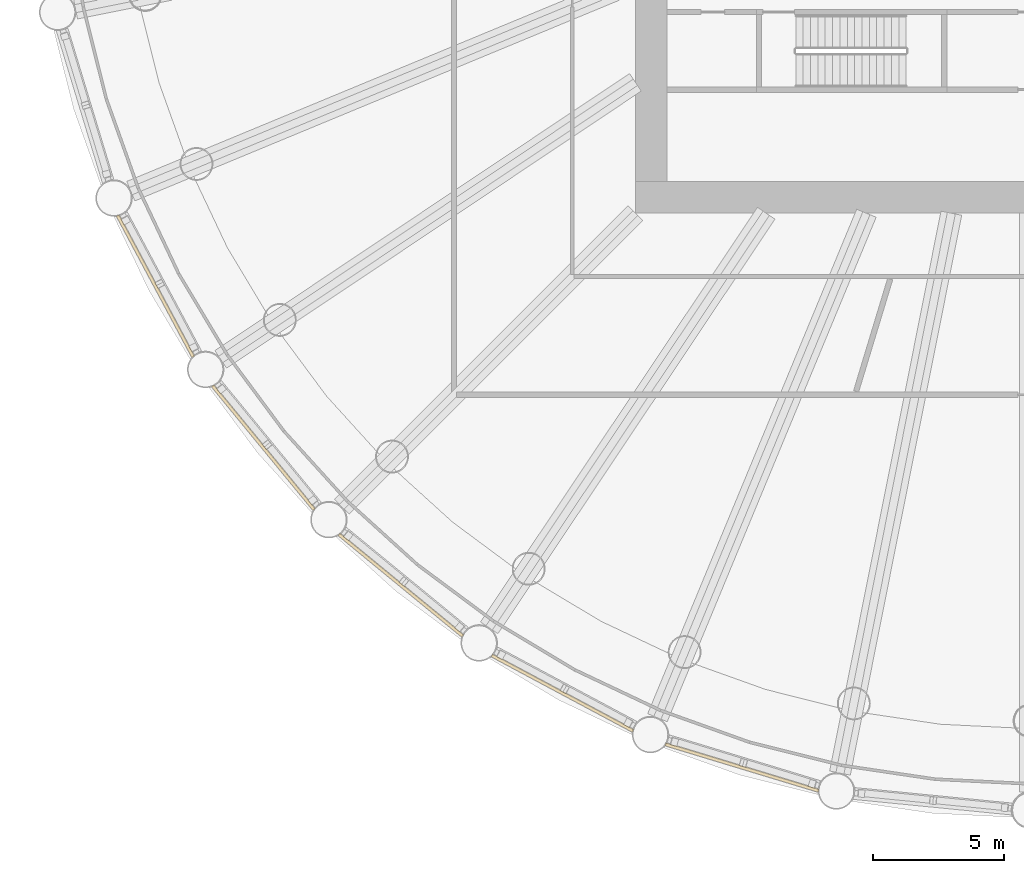
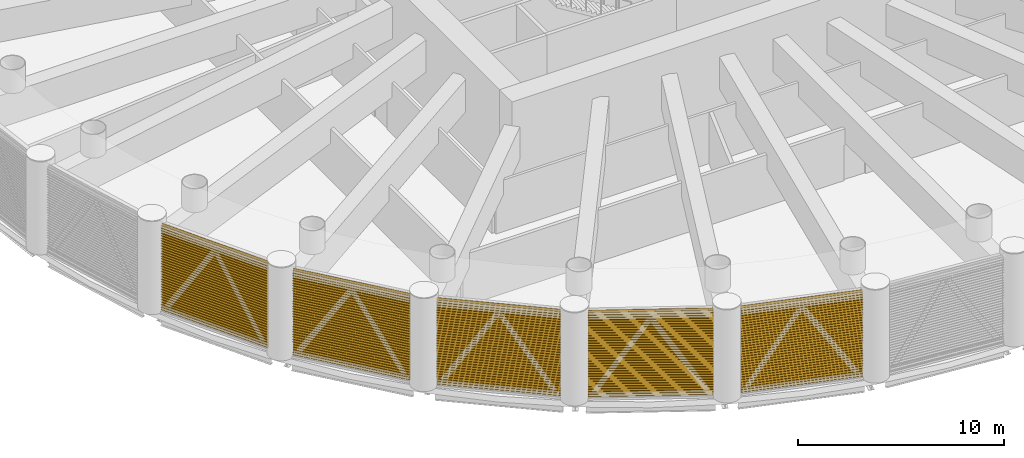
# One storey, part 19 of 26: 5 shading devices, 5 elements without a shape of their own.
"""IFC4 building model written with IfcOpenShell, lengths in metres."""

from ifc_helpers import new_model, si_unit, direction, frame, origin, place, context, subcontext, project, spatial, polyline, outline, extrude, material, material_profile, profile_set, type_object, element, aggregate, save


model = new_model("IFC4")

# Units and contexts
model_context = context("Model", 3, precision=1e-05, world=origin(), true_north=direction((0.0, 1.0)))
body_context = subcontext(model_context, "Body", "Model", "MODEL_VIEW")
ifc_project = project(units=[si_unit("LENGTHUNIT", "METRE"), si_unit("AREAUNIT", "SQUARE_METRE"), si_unit("VOLUMEUNIT", "CUBIC_METRE"), si_unit("PLANEANGLEUNIT", "RADIAN"), si_unit("MASSUNIT", "GRAM", prefix="KILO")], contexts=[model_context])

# Site, building, storey
site_placement = place(None, origin())
site = spatial("IfcSite", under=ifc_project, at=site_placement, CompositionType="ELEMENT")
building_placement = place(site_placement, origin())
building = spatial("IfcBuilding", under=site, at=building_placement, Name="Corvane Civic Tower", CompositionType="ELEMENT")
storey_placement = place(building_placement, frame((0.0, 0.0, 85.0)))
storey = spatial("IfcBuildingStorey", under=building, at=storey_placement, Name="L19", CompositionType="ELEMENT", Elevation=85.0)

# Curtain wall, shading device
ifc_material_1 = material(Name="Anodised aluminium bronze", Category="aluminium")
curtain_wall_type = type_object("IfcCurtainWallType", Name="TOWER CW-LV LOUVRE SCREEN WALL", PredefinedType="NOTDEFINED", material=ifc_material_1)
curtain_wall_1_placement = place(storey_placement, origin())
curtain_wall_1 = element("IfcCurtainWall", 1, at=curtain_wall_1_placement, inside=storey, type_object=curtain_wall_type, Name="Louvre screen wall CW-LV L19 bay 18", PredefinedType="NOTDEFINED")
ifc_material_2 = material(Name="Anodised aluminium bronze", Category="aluminium")
ifc_material_profile = material_profile(ifc_material_2, outline(polyline([(-0.06005859375, -2.56494140625), (-0.0400390625, -2.56494140625), (0.06005859375, -2.492919921875), (0.06005859375, -2.472900390625), (-0.0400390625, -2.544921875), (-0.0400390625, -2.4140625), (0.06005859375, -2.342041015625), (0.06005859375, -2.322021484375), (-0.0400390625, -2.39404296875), (-0.0400390625, -2.26318359375), (0.06005859375, -2.191162109375), (0.06005859375, -2.171142578125), (-0.0400390625, -2.2431640625), (-0.0400390625, -2.1123046875), (0.06005859375, -2.040283203125), (0.06005859375, -2.0205078125), (-0.0400390625, -2.09228515625), (-0.0400390625, -1.96142578125), (0.06005859375, -1.889404296875), (0.06005859375, -1.869384765625), (-0.0400390625, -1.94140625), (-0.0400390625, -1.810546875), (0.06005859375, -1.738525390625), (0.06005859375, -1.718505859375), (-0.0400390625, -1.79052734375), (-0.0400390625, -1.65966796875), (0.06005859375, -1.587646484375), (0.06005859375, -1.567626953125), (-0.0400390625, -1.6396484375), (-0.0400390625, -1.5087890625), (0.06005859375, -1.436767578125), (0.06005859375, -1.416748046875), (-0.0400390625, -1.48876953125), (-0.0400390625, -1.35791015625), (0.06005859375, -1.285888671875), (0.06005859375, -1.265869140625), (-0.0400390625, -1.337890625), (-0.0400390625, -1.20703125), (0.06005859375, -1.135009765625), (0.06005859375, -1.114990234375), (-0.0400390625, -1.18701171875), (-0.0400390625, -1.05615234375), (0.06005859375, -0.984130859375), (0.06005859375, -0.964111328125), (-0.0400390625, -1.0361328125), (-0.0400390625, -0.9052734375), (0.06005859375, -0.833251953125), (0.06005859375, -0.813232421875), (-0.0400390625, -0.88525390625), (-0.0400390625, -0.75439453125), (0.06005859375, -0.682373046875), (0.06005859375, -0.662353515625), (-0.0400390625, -0.734375), (-0.0400390625, -0.603515625), (0.06005859375, -0.531494140625), (0.06005859375, -0.511474609375), (-0.0400390625, -0.58349609375), (-0.0400390625, -0.45263671875), (0.06005859375, -0.380615234375), (0.06005859375, -0.360595703125), (-0.0400390625, -0.4326171875), (-0.0400390625, -0.3017578125), (0.06005859375, -0.229736328125), (0.06005859375, -0.209716796875), (-0.0400390625, -0.28173828125), (-0.0400390625, -0.15087890625), (0.06005859375, -0.078857421875), (0.06005859375, -0.058837890625), (-0.0400390625, -0.130859375), (-0.0400390625, 0.0), (0.06005859375, 0.072021484375), (0.06005859375, 0.092041015625), (-0.0400390625, 0.02001953125), (-0.0400390625, 0.15087890625), (0.06005859375, 0.222900390625), (0.06005859375, 0.242919921875), (-0.0400390625, 0.1708984375), (-0.0400390625, 0.3017578125), (0.06005859375, 0.373779296875), (0.06005859375, 0.393798828125), (-0.0400390625, 0.32177734375), (-0.0400390625, 0.45263671875), (0.06005859375, 0.524658203125), (0.06005859375, 0.544677734375), (-0.0400390625, 0.47265625), (-0.0400390625, 0.603515625), (0.06005859375, 0.675537109375), (0.06005859375, 0.695556640625), (-0.0400390625, 0.62353515625), (-0.0400390625, 0.75439453125), (0.06005859375, 0.826416015625), (0.06005859375, 0.846435546875), (-0.0400390625, 0.7744140625), (-0.0400390625, 0.9052734375), (0.06005859375, 0.977294921875), (0.06005859375, 0.997314453125), (-0.0400390625, 0.92529296875), (-0.0400390625, 1.05615234375), (0.06005859375, 1.128173828125), (0.06005859375, 1.148193359375), (-0.0400390625, 1.076171875), (-0.0400390625, 1.20703125), (0.06005859375, 1.279052734375), (0.06005859375, 1.299072265625), (-0.0400390625, 1.22705078125), (-0.0400390625, 1.35791015625), (0.06005859375, 1.429931640625), (0.06005859375, 1.449951171875), (-0.0400390625, 1.3779296875), (-0.0400390625, 1.5087890625), (0.06005859375, 1.580810546875), (0.06005859375, 1.600830078125), (-0.0400390625, 1.52880859375), (-0.0400390625, 1.65966796875), (0.06005859375, 1.731689453125), (0.06005859375, 1.751708984375), (-0.0400390625, 1.6796875), (-0.0400390625, 1.810546875), (0.06005859375, 1.882568359375), (0.06005859375, 1.902587890625), (-0.0400390625, 1.83056640625), (-0.0400390625, 1.96142578125), (0.06005859375, 2.033447265625), (0.06005859375, 2.053466796875), (-0.0400390625, 1.9814453125), (-0.0400390625, 2.1123046875), (0.06005859375, 2.184326171875), (0.06005859375, 2.204345703125), (-0.0400390625, 2.13232421875), (-0.0400390625, 2.26318359375), (0.06005859375, 2.335205078125), (0.06005859375, 2.355224609375), (-0.0400390625, 2.283203125), (-0.0400390625, 2.4140625), (0.06005859375, 2.486083984375), (0.06005859375, 2.506103515625), (-0.0400390625, 2.43408203125), (-0.0400390625, 2.56494140625), (-0.06005859375, 2.56494140625), (-0.06005859375, -2.56494140625)])), Name="TOWER LOUVRE BANK 5130 BRONZE")
ifc_profile_set = profile_set([ifc_material_profile], Name="Anodised aluminium bronze")
shading_device_type = type_object("IfcShadingDeviceType", Name="TOWER LOUVRE BANK 5130 BRONZE", PredefinedType="USERDEFINED", material=ifc_profile_set)
shading_device_1_placement = place(storey_placement, frame((-8.02587890625, -36.959228515625, 2.68505859375), z_axis=(-0.956944551866, 0.29027077816, 0.0), x_axis=(-0.29027077816, -0.956944551866, 0.0)))
shading_device_1 = element("IfcShadingDevice", 2, at=shading_device_1_placement, type_object=shading_device_type, Name="Louvre bank L19 18.1", ObjectType="LOUVRE", PredefinedType="USERDEFINED", context=body_context, shape_type="SweptSolid", body=[
    extrude(outline(polyline([(-0.06005859375, -2.56494140625), (-0.0400390625, -2.56494140625), (0.06005859375, -2.492919921875), (0.06005859375, -2.472900390625), (-0.0400390625, -2.544921875), (-0.0400390625, -2.4140625), (0.06005859375, -2.342041015625), (0.06005859375, -2.322021484375), (-0.0400390625, -2.39404296875), (-0.0400390625, -2.26318359375), (0.06005859375, -2.191162109375), (0.06005859375, -2.171142578125), (-0.0400390625, -2.2431640625), (-0.0400390625, -2.1123046875), (0.06005859375, -2.040283203125), (0.06005859375, -2.0205078125), (-0.0400390625, -2.09228515625), (-0.0400390625, -1.96142578125), (0.06005859375, -1.889404296875), (0.06005859375, -1.869384765625), (-0.0400390625, -1.94140625), (-0.0400390625, -1.810546875), (0.06005859375, -1.738525390625), (0.06005859375, -1.718505859375), (-0.0400390625, -1.79052734375), (-0.0400390625, -1.65966796875), (0.06005859375, -1.587646484375), (0.06005859375, -1.567626953125), (-0.0400390625, -1.6396484375), (-0.0400390625, -1.5087890625), (0.06005859375, -1.436767578125), (0.06005859375, -1.416748046875), (-0.0400390625, -1.48876953125), (-0.0400390625, -1.35791015625), (0.06005859375, -1.285888671875), (0.06005859375, -1.265869140625), (-0.0400390625, -1.337890625), (-0.0400390625, -1.20703125), (0.06005859375, -1.135009765625), (0.06005859375, -1.114990234375), (-0.0400390625, -1.18701171875), (-0.0400390625, -1.05615234375), (0.06005859375, -0.984130859375), (0.06005859375, -0.964111328125), (-0.0400390625, -1.0361328125), (-0.0400390625, -0.9052734375), (0.06005859375, -0.833251953125), (0.06005859375, -0.813232421875), (-0.0400390625, -0.88525390625), (-0.0400390625, -0.75439453125), (0.06005859375, -0.682373046875), (0.06005859375, -0.662353515625), (-0.0400390625, -0.734375), (-0.0400390625, -0.603515625), (0.06005859375, -0.531494140625), (0.06005859375, -0.511474609375), (-0.0400390625, -0.58349609375), (-0.0400390625, -0.45263671875), (0.06005859375, -0.380615234375), (0.06005859375, -0.360595703125), (-0.0400390625, -0.4326171875), (-0.0400390625, -0.3017578125), (0.06005859375, -0.229736328125), (0.06005859375, -0.209716796875), (-0.0400390625, -0.28173828125), (-0.0400390625, -0.15087890625), (0.06005859375, -0.078857421875), (0.06005859375, -0.058837890625), (-0.0400390625, -0.130859375), (-0.0400390625, 0.0), (0.06005859375, 0.072021484375), (0.06005859375, 0.092041015625), (-0.0400390625, 0.02001953125), (-0.0400390625, 0.15087890625), (0.06005859375, 0.222900390625), (0.06005859375, 0.242919921875), (-0.0400390625, 0.1708984375), (-0.0400390625, 0.3017578125), (0.06005859375, 0.373779296875), (0.06005859375, 0.393798828125), (-0.0400390625, 0.32177734375), (-0.0400390625, 0.45263671875), (0.06005859375, 0.524658203125), (0.06005859375, 0.544677734375), (-0.0400390625, 0.47265625), (-0.0400390625, 0.603515625), (0.06005859375, 0.675537109375), (0.06005859375, 0.695556640625), (-0.0400390625, 0.62353515625), (-0.0400390625, 0.75439453125), (0.06005859375, 0.826416015625), (0.06005859375, 0.846435546875), (-0.0400390625, 0.7744140625), (-0.0400390625, 0.9052734375), (0.06005859375, 0.977294921875), (0.06005859375, 0.997314453125), (-0.0400390625, 0.92529296875), (-0.0400390625, 1.05615234375), (0.06005859375, 1.128173828125), (0.06005859375, 1.148193359375), (-0.0400390625, 1.076171875), (-0.0400390625, 1.20703125), (0.06005859375, 1.279052734375), (0.06005859375, 1.299072265625), (-0.0400390625, 1.22705078125), (-0.0400390625, 1.35791015625), (0.06005859375, 1.429931640625), (0.06005859375, 1.449951171875), (-0.0400390625, 1.3779296875), (-0.0400390625, 1.5087890625), (0.06005859375, 1.580810546875), (0.06005859375, 1.600830078125), (-0.0400390625, 1.52880859375), (-0.0400390625, 1.65966796875), (0.06005859375, 1.731689453125), (0.06005859375, 1.751708984375), (-0.0400390625, 1.6796875), (-0.0400390625, 1.810546875), (0.06005859375, 1.882568359375), (0.06005859375, 1.902587890625), (-0.0400390625, 1.83056640625), (-0.0400390625, 1.96142578125), (0.06005859375, 2.033447265625), (0.06005859375, 2.053466796875), (-0.0400390625, 1.9814453125), (-0.0400390625, 2.1123046875), (0.06005859375, 2.184326171875), (0.06005859375, 2.204345703125), (-0.0400390625, 2.13232421875), (-0.0400390625, 2.26318359375), (0.06005859375, 2.335205078125), (0.06005859375, 2.355224609375), (-0.0400390625, 2.283203125), (-0.0400390625, 2.4140625), (0.06005859375, 2.486083984375), (0.06005859375, 2.506103515625), (-0.0400390625, 2.43408203125), (-0.0400390625, 2.56494140625), (-0.06005859375, 2.56494140625), (-0.06005859375, -2.56494140625)])), origin(), (0.0, 0.0, 1.0), 6.096923828125),
])
aggregate(curtain_wall_1, [shading_device_1])

curtain_wall_2_placement = place(storey_placement, origin())
curtain_wall_2 = element("IfcCurtainWall", 3, at=curtain_wall_2_placement, inside=storey, type_object=curtain_wall_type, Name="Louvre screen wall CW-LV L19 bay 19", PredefinedType="NOTDEFINED")
shading_device_2_placement = place(storey_placement, frame((-15.08203125, -34.683349609375, 2.68505859375), z_axis=(-0.881931381664, 0.47137780817, 0.0), x_axis=(-0.47137780817, -0.881931381664, 0.0)))
shading_device_2 = element("IfcShadingDevice", 4, at=shading_device_2_placement, type_object=shading_device_type, Name="Louvre bank L19 19.1", ObjectType="LOUVRE", PredefinedType="USERDEFINED", context=body_context, shape_type="SweptSolid", body=[
    extrude(outline(polyline([(-0.06005859375, -2.56494140625), (-0.0400390625, -2.56494140625), (0.06005859375, -2.492919921875), (0.06005859375, -2.472900390625), (-0.0400390625, -2.544921875), (-0.0400390625, -2.4140625), (0.06005859375, -2.342041015625), (0.06005859375, -2.322021484375), (-0.0400390625, -2.39404296875), (-0.0400390625, -2.26318359375), (0.06005859375, -2.191162109375), (0.06005859375, -2.171142578125), (-0.0400390625, -2.2431640625), (-0.0400390625, -2.1123046875), (0.06005859375, -2.040283203125), (0.06005859375, -2.0205078125), (-0.0400390625, -2.09228515625), (-0.0400390625, -1.96142578125), (0.06005859375, -1.889404296875), (0.06005859375, -1.869384765625), (-0.0400390625, -1.94140625), (-0.0400390625, -1.810546875), (0.06005859375, -1.738525390625), (0.06005859375, -1.718505859375), (-0.0400390625, -1.79052734375), (-0.0400390625, -1.65966796875), (0.06005859375, -1.587646484375), (0.06005859375, -1.567626953125), (-0.0400390625, -1.6396484375), (-0.0400390625, -1.5087890625), (0.06005859375, -1.436767578125), (0.06005859375, -1.416748046875), (-0.0400390625, -1.48876953125), (-0.0400390625, -1.35791015625), (0.06005859375, -1.285888671875), (0.06005859375, -1.265869140625), (-0.0400390625, -1.337890625), (-0.0400390625, -1.20703125), (0.06005859375, -1.135009765625), (0.06005859375, -1.114990234375), (-0.0400390625, -1.18701171875), (-0.0400390625, -1.05615234375), (0.06005859375, -0.984130859375), (0.06005859375, -0.964111328125), (-0.0400390625, -1.0361328125), (-0.0400390625, -0.9052734375), (0.06005859375, -0.833251953125), (0.06005859375, -0.813232421875), (-0.0400390625, -0.88525390625), (-0.0400390625, -0.75439453125), (0.06005859375, -0.682373046875), (0.06005859375, -0.662353515625), (-0.0400390625, -0.734375), (-0.0400390625, -0.603515625), (0.06005859375, -0.531494140625), (0.06005859375, -0.511474609375), (-0.0400390625, -0.58349609375), (-0.0400390625, -0.45263671875), (0.06005859375, -0.380615234375), (0.06005859375, -0.360595703125), (-0.0400390625, -0.4326171875), (-0.0400390625, -0.3017578125), (0.06005859375, -0.229736328125), (0.06005859375, -0.209716796875), (-0.0400390625, -0.28173828125), (-0.0400390625, -0.15087890625), (0.06005859375, -0.078857421875), (0.06005859375, -0.058837890625), (-0.0400390625, -0.130859375), (-0.0400390625, 0.0), (0.06005859375, 0.072021484375), (0.06005859375, 0.092041015625), (-0.0400390625, 0.02001953125), (-0.0400390625, 0.15087890625), (0.06005859375, 0.222900390625), (0.06005859375, 0.242919921875), (-0.0400390625, 0.1708984375), (-0.0400390625, 0.3017578125), (0.06005859375, 0.373779296875), (0.06005859375, 0.393798828125), (-0.0400390625, 0.32177734375), (-0.0400390625, 0.45263671875), (0.06005859375, 0.524658203125), (0.06005859375, 0.544677734375), (-0.0400390625, 0.47265625), (-0.0400390625, 0.603515625), (0.06005859375, 0.675537109375), (0.06005859375, 0.695556640625), (-0.0400390625, 0.62353515625), (-0.0400390625, 0.75439453125), (0.06005859375, 0.826416015625), (0.06005859375, 0.846435546875), (-0.0400390625, 0.7744140625), (-0.0400390625, 0.9052734375), (0.06005859375, 0.977294921875), (0.06005859375, 0.997314453125), (-0.0400390625, 0.92529296875), (-0.0400390625, 1.05615234375), (0.06005859375, 1.128173828125), (0.06005859375, 1.148193359375), (-0.0400390625, 1.076171875), (-0.0400390625, 1.20703125), (0.06005859375, 1.279052734375), (0.06005859375, 1.299072265625), (-0.0400390625, 1.22705078125), (-0.0400390625, 1.35791015625), (0.06005859375, 1.429931640625), (0.06005859375, 1.449951171875), (-0.0400390625, 1.3779296875), (-0.0400390625, 1.5087890625), (0.06005859375, 1.580810546875), (0.06005859375, 1.600830078125), (-0.0400390625, 1.52880859375), (-0.0400390625, 1.65966796875), (0.06005859375, 1.731689453125), (0.06005859375, 1.751708984375), (-0.0400390625, 1.6796875), (-0.0400390625, 1.810546875), (0.06005859375, 1.882568359375), (0.06005859375, 1.902587890625), (-0.0400390625, 1.83056640625), (-0.0400390625, 1.96142578125), (0.06005859375, 2.033447265625), (0.06005859375, 2.053466796875), (-0.0400390625, 1.9814453125), (-0.0400390625, 2.1123046875), (0.06005859375, 2.184326171875), (0.06005859375, 2.204345703125), (-0.0400390625, 2.13232421875), (-0.0400390625, 2.26318359375), (0.06005859375, 2.335205078125), (0.06005859375, 2.355224609375), (-0.0400390625, 2.283203125), (-0.0400390625, 2.4140625), (0.06005859375, 2.486083984375), (0.06005859375, 2.506103515625), (-0.0400390625, 2.43408203125), (-0.0400390625, 2.56494140625), (-0.06005859375, 2.56494140625), (-0.06005859375, -2.56494140625)])), origin(), (0.0, 0.0, 1.0), 6.09716796875),
])
aggregate(curtain_wall_2, [shading_device_2])

curtain_wall_3_placement = place(storey_placement, origin())
curtain_wall_3 = element("IfcCurtainWall", 5, at=curtain_wall_3_placement, inside=storey, type_object=curtain_wall_type, Name="Louvre screen wall CW-LV L19 bay 20", PredefinedType="NOTDEFINED")
shading_device_3_placement = place(storey_placement, frame((-21.55859375, -31.074462890625, 2.68505859375), z_axis=(-0.77301446029, 0.634388401677, 0.0), x_axis=(-0.634388401677, -0.77301446029, 0.0)))
shading_device_3 = element("IfcShadingDevice", 6, at=shading_device_3_placement, type_object=shading_device_type, Name="Louvre bank L19 20.1", ObjectType="LOUVRE", PredefinedType="USERDEFINED", context=body_context, shape_type="SweptSolid", body=[
    extrude(outline(polyline([(-0.06005859375, -2.56494140625), (-0.0400390625, -2.56494140625), (0.06005859375, -2.492919921875), (0.06005859375, -2.472900390625), (-0.0400390625, -2.544921875), (-0.0400390625, -2.4140625), (0.06005859375, -2.342041015625), (0.06005859375, -2.322021484375), (-0.0400390625, -2.39404296875), (-0.0400390625, -2.26318359375), (0.06005859375, -2.191162109375), (0.06005859375, -2.171142578125), (-0.0400390625, -2.2431640625), (-0.0400390625, -2.1123046875), (0.06005859375, -2.040283203125), (0.06005859375, -2.0205078125), (-0.0400390625, -2.09228515625), (-0.0400390625, -1.96142578125), (0.06005859375, -1.889404296875), (0.06005859375, -1.869384765625), (-0.0400390625, -1.94140625), (-0.0400390625, -1.810546875), (0.06005859375, -1.738525390625), (0.06005859375, -1.718505859375), (-0.0400390625, -1.79052734375), (-0.0400390625, -1.65966796875), (0.06005859375, -1.587646484375), (0.06005859375, -1.567626953125), (-0.0400390625, -1.6396484375), (-0.0400390625, -1.5087890625), (0.06005859375, -1.436767578125), (0.06005859375, -1.416748046875), (-0.0400390625, -1.48876953125), (-0.0400390625, -1.35791015625), (0.06005859375, -1.285888671875), (0.06005859375, -1.265869140625), (-0.0400390625, -1.337890625), (-0.0400390625, -1.20703125), (0.06005859375, -1.135009765625), (0.06005859375, -1.114990234375), (-0.0400390625, -1.18701171875), (-0.0400390625, -1.05615234375), (0.06005859375, -0.984130859375), (0.06005859375, -0.964111328125), (-0.0400390625, -1.0361328125), (-0.0400390625, -0.9052734375), (0.06005859375, -0.833251953125), (0.06005859375, -0.813232421875), (-0.0400390625, -0.88525390625), (-0.0400390625, -0.75439453125), (0.06005859375, -0.682373046875), (0.06005859375, -0.662353515625), (-0.0400390625, -0.734375), (-0.0400390625, -0.603515625), (0.06005859375, -0.531494140625), (0.06005859375, -0.511474609375), (-0.0400390625, -0.58349609375), (-0.0400390625, -0.45263671875), (0.06005859375, -0.380615234375), (0.06005859375, -0.360595703125), (-0.0400390625, -0.4326171875), (-0.0400390625, -0.3017578125), (0.06005859375, -0.229736328125), (0.06005859375, -0.209716796875), (-0.0400390625, -0.28173828125), (-0.0400390625, -0.15087890625), (0.06005859375, -0.078857421875), (0.06005859375, -0.058837890625), (-0.0400390625, -0.130859375), (-0.0400390625, 0.0), (0.06005859375, 0.072021484375), (0.06005859375, 0.092041015625), (-0.0400390625, 0.02001953125), (-0.0400390625, 0.15087890625), (0.06005859375, 0.222900390625), (0.06005859375, 0.242919921875), (-0.0400390625, 0.1708984375), (-0.0400390625, 0.3017578125), (0.06005859375, 0.373779296875), (0.06005859375, 0.393798828125), (-0.0400390625, 0.32177734375), (-0.0400390625, 0.45263671875), (0.06005859375, 0.524658203125), (0.06005859375, 0.544677734375), (-0.0400390625, 0.47265625), (-0.0400390625, 0.603515625), (0.06005859375, 0.675537109375), (0.06005859375, 0.695556640625), (-0.0400390625, 0.62353515625), (-0.0400390625, 0.75439453125), (0.06005859375, 0.826416015625), (0.06005859375, 0.846435546875), (-0.0400390625, 0.7744140625), (-0.0400390625, 0.9052734375), (0.06005859375, 0.977294921875), (0.06005859375, 0.997314453125), (-0.0400390625, 0.92529296875), (-0.0400390625, 1.05615234375), (0.06005859375, 1.128173828125), (0.06005859375, 1.148193359375), (-0.0400390625, 1.076171875), (-0.0400390625, 1.20703125), (0.06005859375, 1.279052734375), (0.06005859375, 1.299072265625), (-0.0400390625, 1.22705078125), (-0.0400390625, 1.35791015625), (0.06005859375, 1.429931640625), (0.06005859375, 1.449951171875), (-0.0400390625, 1.3779296875), (-0.0400390625, 1.5087890625), (0.06005859375, 1.580810546875), (0.06005859375, 1.600830078125), (-0.0400390625, 1.52880859375), (-0.0400390625, 1.65966796875), (0.06005859375, 1.731689453125), (0.06005859375, 1.751708984375), (-0.0400390625, 1.6796875), (-0.0400390625, 1.810546875), (0.06005859375, 1.882568359375), (0.06005859375, 1.902587890625), (-0.0400390625, 1.83056640625), (-0.0400390625, 1.96142578125), (0.06005859375, 2.033447265625), (0.06005859375, 2.053466796875), (-0.0400390625, 1.9814453125), (-0.0400390625, 2.1123046875), (0.06005859375, 2.184326171875), (0.06005859375, 2.204345703125), (-0.0400390625, 2.13232421875), (-0.0400390625, 2.26318359375), (0.06005859375, 2.335205078125), (0.06005859375, 2.355224609375), (-0.0400390625, 2.283203125), (-0.0400390625, 2.4140625), (0.06005859375, 2.486083984375), (0.06005859375, 2.506103515625), (-0.0400390625, 2.43408203125), (-0.0400390625, 2.56494140625), (-0.06005859375, 2.56494140625), (-0.06005859375, -2.56494140625)])), origin(), (0.0, 0.0, 1.0), 6.09716796875),
])
aggregate(curtain_wall_3, [shading_device_3])

curtain_wall_4_placement = place(storey_placement, origin())
curtain_wall_4 = element("IfcCurtainWall", 7, at=curtain_wall_4_placement, inside=storey, type_object=curtain_wall_type, Name="Louvre screen wall CW-LV L19 bay 21", PredefinedType="NOTDEFINED")
shading_device_4_placement = place(storey_placement, frame((-27.20654296875, -26.271728515625, 2.68505859375), z_axis=(-0.634388401677, 0.77301446029, 0.0), x_axis=(-0.77301446029, -0.634388401677, 0.0)))
shading_device_4 = element("IfcShadingDevice", 8, at=shading_device_4_placement, type_object=shading_device_type, Name="Louvre bank L19 21.1", ObjectType="LOUVRE", PredefinedType="USERDEFINED", context=body_context, shape_type="SweptSolid", body=[
    extrude(outline(polyline([(-0.06005859375, -2.56494140625), (-0.0400390625, -2.56494140625), (0.06005859375, -2.492919921875), (0.06005859375, -2.472900390625), (-0.0400390625, -2.544921875), (-0.0400390625, -2.4140625), (0.06005859375, -2.342041015625), (0.06005859375, -2.322021484375), (-0.0400390625, -2.39404296875), (-0.0400390625, -2.26318359375), (0.06005859375, -2.191162109375), (0.06005859375, -2.171142578125), (-0.0400390625, -2.2431640625), (-0.0400390625, -2.1123046875), (0.06005859375, -2.040283203125), (0.06005859375, -2.0205078125), (-0.0400390625, -2.09228515625), (-0.0400390625, -1.96142578125), (0.06005859375, -1.889404296875), (0.06005859375, -1.869384765625), (-0.0400390625, -1.94140625), (-0.0400390625, -1.810546875), (0.06005859375, -1.738525390625), (0.06005859375, -1.718505859375), (-0.0400390625, -1.79052734375), (-0.0400390625, -1.65966796875), (0.06005859375, -1.587646484375), (0.06005859375, -1.567626953125), (-0.0400390625, -1.6396484375), (-0.0400390625, -1.5087890625), (0.06005859375, -1.436767578125), (0.06005859375, -1.416748046875), (-0.0400390625, -1.48876953125), (-0.0400390625, -1.35791015625), (0.06005859375, -1.285888671875), (0.06005859375, -1.265869140625), (-0.0400390625, -1.337890625), (-0.0400390625, -1.20703125), (0.06005859375, -1.135009765625), (0.06005859375, -1.114990234375), (-0.0400390625, -1.18701171875), (-0.0400390625, -1.05615234375), (0.06005859375, -0.984130859375), (0.06005859375, -0.964111328125), (-0.0400390625, -1.0361328125), (-0.0400390625, -0.9052734375), (0.06005859375, -0.833251953125), (0.06005859375, -0.813232421875), (-0.0400390625, -0.88525390625), (-0.0400390625, -0.75439453125), (0.06005859375, -0.682373046875), (0.06005859375, -0.662353515625), (-0.0400390625, -0.734375), (-0.0400390625, -0.603515625), (0.06005859375, -0.531494140625), (0.06005859375, -0.511474609375), (-0.0400390625, -0.58349609375), (-0.0400390625, -0.45263671875), (0.06005859375, -0.380615234375), (0.06005859375, -0.360595703125), (-0.0400390625, -0.4326171875), (-0.0400390625, -0.3017578125), (0.06005859375, -0.229736328125), (0.06005859375, -0.209716796875), (-0.0400390625, -0.28173828125), (-0.0400390625, -0.15087890625), (0.06005859375, -0.078857421875), (0.06005859375, -0.058837890625), (-0.0400390625, -0.130859375), (-0.0400390625, 0.0), (0.06005859375, 0.072021484375), (0.06005859375, 0.092041015625), (-0.0400390625, 0.02001953125), (-0.0400390625, 0.15087890625), (0.06005859375, 0.222900390625), (0.06005859375, 0.242919921875), (-0.0400390625, 0.1708984375), (-0.0400390625, 0.3017578125), (0.06005859375, 0.373779296875), (0.06005859375, 0.393798828125), (-0.0400390625, 0.32177734375), (-0.0400390625, 0.45263671875), (0.06005859375, 0.524658203125), (0.06005859375, 0.544677734375), (-0.0400390625, 0.47265625), (-0.0400390625, 0.603515625), (0.06005859375, 0.675537109375), (0.06005859375, 0.695556640625), (-0.0400390625, 0.62353515625), (-0.0400390625, 0.75439453125), (0.06005859375, 0.826416015625), (0.06005859375, 0.846435546875), (-0.0400390625, 0.7744140625), (-0.0400390625, 0.9052734375), (0.06005859375, 0.977294921875), (0.06005859375, 0.997314453125), (-0.0400390625, 0.92529296875), (-0.0400390625, 1.05615234375), (0.06005859375, 1.128173828125), (0.06005859375, 1.148193359375), (-0.0400390625, 1.076171875), (-0.0400390625, 1.20703125), (0.06005859375, 1.279052734375), (0.06005859375, 1.299072265625), (-0.0400390625, 1.22705078125), (-0.0400390625, 1.35791015625), (0.06005859375, 1.429931640625), (0.06005859375, 1.449951171875), (-0.0400390625, 1.3779296875), (-0.0400390625, 1.5087890625), (0.06005859375, 1.580810546875), (0.06005859375, 1.600830078125), (-0.0400390625, 1.52880859375), (-0.0400390625, 1.65966796875), (0.06005859375, 1.731689453125), (0.06005859375, 1.751708984375), (-0.0400390625, 1.6796875), (-0.0400390625, 1.810546875), (0.06005859375, 1.882568359375), (0.06005859375, 1.902587890625), (-0.0400390625, 1.83056640625), (-0.0400390625, 1.96142578125), (0.06005859375, 2.033447265625), (0.06005859375, 2.053466796875), (-0.0400390625, 1.9814453125), (-0.0400390625, 2.1123046875), (0.06005859375, 2.184326171875), (0.06005859375, 2.204345703125), (-0.0400390625, 2.13232421875), (-0.0400390625, 2.26318359375), (0.06005859375, 2.335205078125), (0.06005859375, 2.355224609375), (-0.0400390625, 2.283203125), (-0.0400390625, 2.4140625), (0.06005859375, 2.486083984375), (0.06005859375, 2.506103515625), (-0.0400390625, 2.43408203125), (-0.0400390625, 2.56494140625), (-0.06005859375, 2.56494140625), (-0.06005859375, -2.56494140625)])), origin(), (0.0, 0.0, 1.0), 6.09716796875),
])
aggregate(curtain_wall_4, [shading_device_4])

curtain_wall_5_placement = place(storey_placement, origin())
curtain_wall_5 = element("IfcCurtainWall", 9, at=curtain_wall_5_placement, inside=storey, type_object=curtain_wall_type, Name="Louvre screen wall CW-LV L19 bay 22", PredefinedType="NOTDEFINED")
shading_device_5_placement = place(storey_placement, frame((-31.809326171875, -20.459228515625, 2.68505859375), z_axis=(-0.47137780817, 0.881931381664, 0.0), x_axis=(-0.881931381664, -0.47137780817, 0.0)))
shading_device_5 = element("IfcShadingDevice", 10, at=shading_device_5_placement, type_object=shading_device_type, Name="Louvre bank L19 22.1", ObjectType="LOUVRE", PredefinedType="USERDEFINED", context=body_context, shape_type="SweptSolid", body=[
    extrude(outline(polyline([(-0.06005859375, -2.56494140625), (-0.0400390625, -2.56494140625), (0.06005859375, -2.492919921875), (0.06005859375, -2.472900390625), (-0.0400390625, -2.544921875), (-0.0400390625, -2.4140625), (0.06005859375, -2.342041015625), (0.06005859375, -2.322021484375), (-0.0400390625, -2.39404296875), (-0.0400390625, -2.26318359375), (0.06005859375, -2.191162109375), (0.06005859375, -2.171142578125), (-0.0400390625, -2.2431640625), (-0.0400390625, -2.1123046875), (0.06005859375, -2.040283203125), (0.06005859375, -2.0205078125), (-0.0400390625, -2.09228515625), (-0.0400390625, -1.96142578125), (0.06005859375, -1.889404296875), (0.06005859375, -1.869384765625), (-0.0400390625, -1.94140625), (-0.0400390625, -1.810546875), (0.06005859375, -1.738525390625), (0.06005859375, -1.718505859375), (-0.0400390625, -1.79052734375), (-0.0400390625, -1.65966796875), (0.06005859375, -1.587646484375), (0.06005859375, -1.567626953125), (-0.0400390625, -1.6396484375), (-0.0400390625, -1.5087890625), (0.06005859375, -1.436767578125), (0.06005859375, -1.416748046875), (-0.0400390625, -1.48876953125), (-0.0400390625, -1.35791015625), (0.06005859375, -1.285888671875), (0.06005859375, -1.265869140625), (-0.0400390625, -1.337890625), (-0.0400390625, -1.20703125), (0.06005859375, -1.135009765625), (0.06005859375, -1.114990234375), (-0.0400390625, -1.18701171875), (-0.0400390625, -1.05615234375), (0.06005859375, -0.984130859375), (0.06005859375, -0.964111328125), (-0.0400390625, -1.0361328125), (-0.0400390625, -0.9052734375), (0.06005859375, -0.833251953125), (0.06005859375, -0.813232421875), (-0.0400390625, -0.88525390625), (-0.0400390625, -0.75439453125), (0.06005859375, -0.682373046875), (0.06005859375, -0.662353515625), (-0.0400390625, -0.734375), (-0.0400390625, -0.603515625), (0.06005859375, -0.531494140625), (0.06005859375, -0.511474609375), (-0.0400390625, -0.58349609375), (-0.0400390625, -0.45263671875), (0.06005859375, -0.380615234375), (0.06005859375, -0.360595703125), (-0.0400390625, -0.4326171875), (-0.0400390625, -0.3017578125), (0.06005859375, -0.229736328125), (0.06005859375, -0.209716796875), (-0.0400390625, -0.28173828125), (-0.0400390625, -0.15087890625), (0.06005859375, -0.078857421875), (0.06005859375, -0.058837890625), (-0.0400390625, -0.130859375), (-0.0400390625, 0.0), (0.06005859375, 0.072021484375), (0.06005859375, 0.092041015625), (-0.0400390625, 0.02001953125), (-0.0400390625, 0.15087890625), (0.06005859375, 0.222900390625), (0.06005859375, 0.242919921875), (-0.0400390625, 0.1708984375), (-0.0400390625, 0.3017578125), (0.06005859375, 0.373779296875), (0.06005859375, 0.393798828125), (-0.0400390625, 0.32177734375), (-0.0400390625, 0.45263671875), (0.06005859375, 0.524658203125), (0.06005859375, 0.544677734375), (-0.0400390625, 0.47265625), (-0.0400390625, 0.603515625), (0.06005859375, 0.675537109375), (0.06005859375, 0.695556640625), (-0.0400390625, 0.62353515625), (-0.0400390625, 0.75439453125), (0.06005859375, 0.826416015625), (0.06005859375, 0.846435546875), (-0.0400390625, 0.7744140625), (-0.0400390625, 0.9052734375), (0.06005859375, 0.977294921875), (0.06005859375, 0.997314453125), (-0.0400390625, 0.92529296875), (-0.0400390625, 1.05615234375), (0.06005859375, 1.128173828125), (0.06005859375, 1.148193359375), (-0.0400390625, 1.076171875), (-0.0400390625, 1.20703125), (0.06005859375, 1.279052734375), (0.06005859375, 1.299072265625), (-0.0400390625, 1.22705078125), (-0.0400390625, 1.35791015625), (0.06005859375, 1.429931640625), (0.06005859375, 1.449951171875), (-0.0400390625, 1.3779296875), (-0.0400390625, 1.5087890625), (0.06005859375, 1.580810546875), (0.06005859375, 1.600830078125), (-0.0400390625, 1.52880859375), (-0.0400390625, 1.65966796875), (0.06005859375, 1.731689453125), (0.06005859375, 1.751708984375), (-0.0400390625, 1.6796875), (-0.0400390625, 1.810546875), (0.06005859375, 1.882568359375), (0.06005859375, 1.902587890625), (-0.0400390625, 1.83056640625), (-0.0400390625, 1.96142578125), (0.06005859375, 2.033447265625), (0.06005859375, 2.053466796875), (-0.0400390625, 1.9814453125), (-0.0400390625, 2.1123046875), (0.06005859375, 2.184326171875), (0.06005859375, 2.204345703125), (-0.0400390625, 2.13232421875), (-0.0400390625, 2.26318359375), (0.06005859375, 2.335205078125), (0.06005859375, 2.355224609375), (-0.0400390625, 2.283203125), (-0.0400390625, 2.4140625), (0.06005859375, 2.486083984375), (0.06005859375, 2.506103515625), (-0.0400390625, 2.43408203125), (-0.0400390625, 2.56494140625), (-0.06005859375, 2.56494140625), (-0.06005859375, -2.56494140625)])), origin(), (0.0, 0.0, 1.0), 6.09716796875),
])
aggregate(curtain_wall_5, [shading_device_5])

save(model, "model.ifc")
